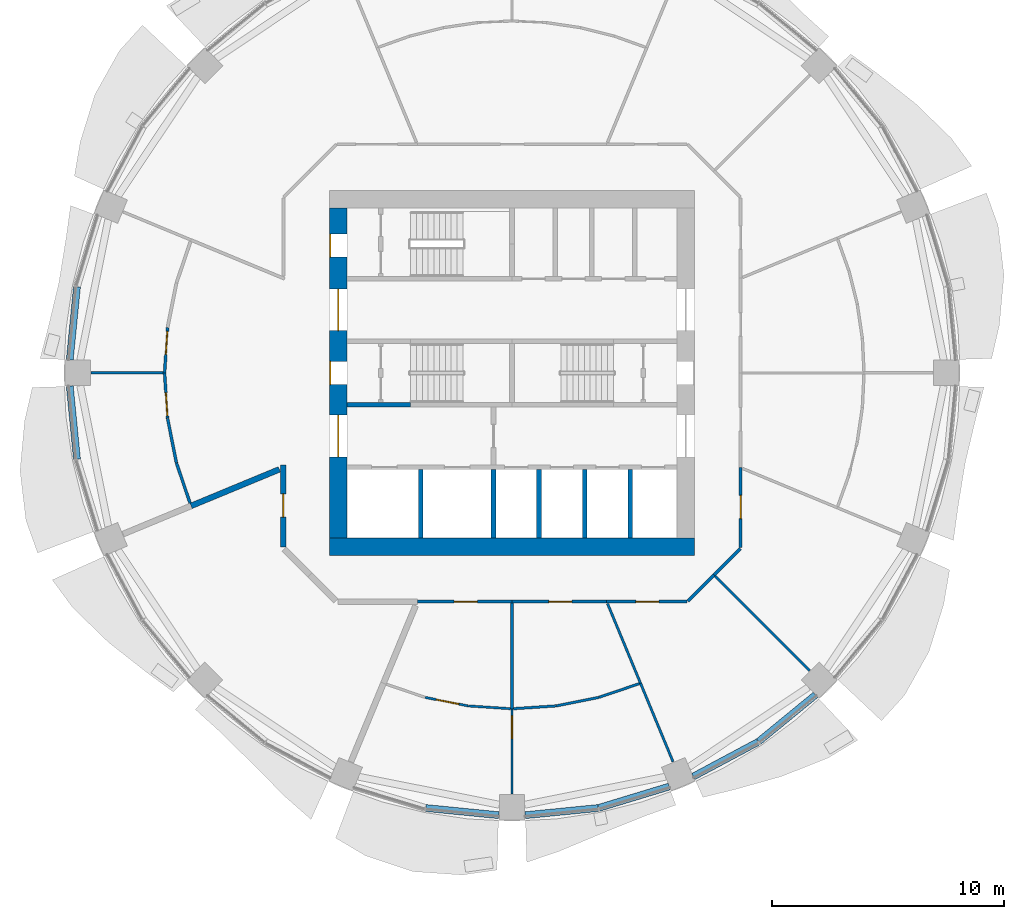
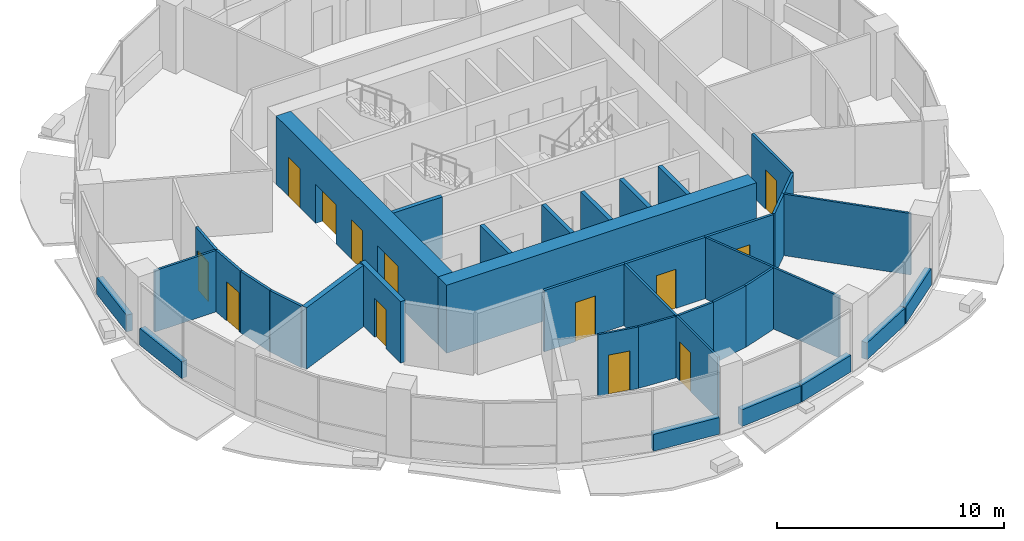
# One storey, part 8 of 15: 38 walls, 13 doors, 13 openings.
"""IFC4 building model written with IfcOpenShell, lengths in metres."""

from ifc_helpers import new_model, si_unit, direction, frame, frame_2d, origin, place, context, subcontext, project, spatial, rectangle, extrude, material, layer, layer_set, type_object, element, fill, save


model = new_model("IFC4")

# Units and contexts
model_context = context("Model", 3, precision=1e-05, world=origin(), true_north=direction((0.0, 1.0)))
body_context = subcontext(model_context, "Body", "Model", "MODEL_VIEW")
ifc_project = project(units=[si_unit("LENGTHUNIT", "METRE"), si_unit("AREAUNIT", "SQUARE_METRE"), si_unit("VOLUMEUNIT", "CUBIC_METRE"), si_unit("PLANEANGLEUNIT", "RADIAN"), si_unit("MASSUNIT", "GRAM", prefix="KILO")], contexts=[model_context])

# Site, building, storey
site_placement = place(None, origin())
site = spatial("IfcSite", under=ifc_project, at=site_placement, CompositionType="ELEMENT")
building_placement = place(site_placement, origin())
building = spatial("IfcBuilding", under=site, at=building_placement, Name="Polderwave Tower", CompositionType="ELEMENT")
storey_placement = place(building_placement, frame((0.0, 0.0, 83.699951171875)))
storey = spatial("IfcBuildingStorey", under=building, at=storey_placement, Name="L21", CompositionType="ELEMENT", Elevation=83.699951171875)

# Wall
ifc_material_1 = material(Name="Concrete C70/85", Category="concrete")
ifc_layer_1 = layer(ifc_material_1, 0.75)
ifc_layer_set_1 = layer_set([ifc_layer_1], Name="CORE WALL 750 C70/85")
wall_type_1 = type_object("IfcWallType", Name="CORE WALL 750 C70/85", PredefinedType="SHEAR", material=ifc_layer_set_1)
wall_1_placement = place(storey_placement, frame((-7.8740234375, -7.4990234375, 0.0), z_axis=(0.0, 0.0, 1.0), x_axis=(1.0, 0.0, 0.0)))
element("IfcWall", 1, at=wall_1_placement, inside=storey, type_object=wall_type_1, Name="ST-CORE-L21-S", PredefinedType="SHEAR", context=body_context, shape_type="SweptSolid", body=[
    extrude(rectangle(XDim=15.748046875, YDim=0.75, at=frame_2d((7.8740234375, 0.0))), origin(), (0.0, 0.0, 1.0), 3.650146484375),
])

# Wall, openings, doors
wall_2_placement = place(storey_placement, frame((-7.4990234375, -7.1240234375, 0.0), z_axis=(0.0, 0.0, 1.0), x_axis=(0.0, 1.0, 0.0)))
wall_2 = element("IfcWall", 2, at=wall_2_placement, inside=storey, type_object=wall_type_1, Name="ST-CORE-L21-W", PredefinedType="SHEAR", context=body_context, shape_type="SweptSolid", body=[
    extrude(rectangle(XDim=14.248046875, YDim=0.75, at=frame_2d((7.1240234375, 0.0))), origin(), (0.0, 0.0, 1.0), 3.650146484375),
])
opening_1_placement = place(wall_2_placement, frame((6.6240234375, 0.0, 0.0)))
opening_1 = element("IfcOpeningElement", 3, at=opening_1_placement, cuts=wall_2, Name="Opening L21-D18", PredefinedType="OPENING", context=body_context, shape_type="SweptSolid", body=[
    extrude(rectangle(XDim=1.0, YDim=2.10009765625, at=frame_2d((0.5, 1.050048828125))), frame((0.0, 0.385009765625, 0.0), z_axis=(0.0, -1.0, 0.0), x_axis=(1.0, 0.0, 0.0)), (0.0, 0.0, 1.0), 0.77001953125),
])
opening_2_placement = place(wall_2_placement, frame((3.49951171875, 0.0, 0.0)))
opening_2 = element("IfcOpeningElement", 4, at=opening_2_placement, cuts=wall_2, Name="Opening L21-D19", PredefinedType="OPENING", context=body_context, shape_type="SweptSolid", body=[
    extrude(rectangle(XDim=1.800048828125, YDim=2.10009765625, at=frame_2d((0.89990234375, 1.050048828125))), frame((0.0, 0.385009765625, 0.0), z_axis=(0.0, -1.0, 0.0), x_axis=(1.0, 0.0, 0.0)), (0.0, 0.0, 1.0), 0.77001953125),
])
opening_3_placement = place(wall_2_placement, frame((8.948486328125, 0.0, 0.0)))
opening_3 = element("IfcOpeningElement", 5, at=opening_3_placement, cuts=wall_2, Name="Opening L21-D20", PredefinedType="OPENING", context=body_context, shape_type="SweptSolid", body=[
    extrude(rectangle(XDim=1.800048828125, YDim=2.10009765625, at=frame_2d((0.89990234375, 1.050048828125))), frame((0.0, 0.385009765625, 0.0), z_axis=(0.0, -1.0, 0.0), x_axis=(1.0, 0.0, 0.0)), (0.0, 0.0, 1.0), 0.77001953125),
])
opening_4_placement = place(wall_2_placement, frame((12.1240234375, 0.0, 0.0)))
opening_4 = element("IfcOpeningElement", 6, at=opening_4_placement, cuts=wall_2, Name="Opening L21-D21", PredefinedType="OPENING", context=body_context, shape_type="SweptSolid", body=[
    extrude(rectangle(XDim=1.0, YDim=2.10009765625, at=frame_2d((0.5, 1.050048828125))), frame((0.0, 0.385009765625, 0.0), z_axis=(0.0, -1.0, 0.0), x_axis=(1.0, 0.0, 0.0)), (0.0, 0.0, 1.0), 0.77001953125),
])
ifc_material_2 = material(Name="Steel fire door", Category="steel")
door_type_1 = type_object("IfcDoorType", Name="Lobby entry door pair 1800", OperationType="DOUBLE_DOOR_SINGLE_SWING", PredefinedType="DOOR", material=ifc_material_2)
door_1_placement = place(opening_2_placement, origin())
door_1 = element("IfcDoor", 7, at=door_1_placement, inside=storey, type_object=door_type_1, Name="Fire-fighting lobby entry door", OperationType="DOUBLE_DOOR_SINGLE_SWING", OverallHeight=2.10009765625, OverallWidth=1.800048828125, PredefinedType="DOOR", context=body_context, shape_type="SweptSolid", body=[
    extrude(rectangle(XDim=1.800048828125, YDim=2.10009765625, at=frame_2d((0.89990234375, 1.050048828125))), frame((0.0, 0.02490234375, 0.0), z_axis=(0.0, -1.0, 0.0), x_axis=(1.0, 0.0, 0.0)), (0.0, 0.0, 1.0), 0.050048828125),
])
fill(opening_2, door_1)
door_2_placement = place(opening_3_placement, origin())
door_2 = element("IfcDoor", 8, at=door_2_placement, inside=storey, type_object=door_type_1, Name="North lobby entry door", OperationType="DOUBLE_DOOR_SINGLE_SWING", OverallHeight=2.10009765625, OverallWidth=1.800048828125, PredefinedType="DOOR", context=body_context, shape_type="SweptSolid", body=[
    extrude(rectangle(XDim=1.800048828125, YDim=2.10009765625, at=frame_2d((0.89990234375, 1.050048828125))), frame((0.0, 0.02490234375, 0.0), z_axis=(0.0, -1.0, 0.0), x_axis=(1.0, 0.0, 0.0)), (0.0, 0.0, 1.0), 0.050048828125),
])
fill(opening_3, door_2)
door_type_2 = type_object("IfcDoorType", Name="Stair door 1000", OperationType="NOTDEFINED", PredefinedType="DOOR", material=ifc_material_2)
door_3_placement = place(opening_1_placement, origin())
door_3 = element("IfcDoor", 9, at=door_3_placement, inside=storey, type_object=door_type_2, Name="Stair A entry door", OperationType="SINGLE_SWING_RIGHT", OverallHeight=2.10009765625, OverallWidth=1.0, PredefinedType="DOOR", context=body_context, shape_type="SweptSolid", body=[
    extrude(rectangle(XDim=1.0, YDim=2.10009765625, at=frame_2d((0.5, 1.050048828125))), frame((0.0, 0.375, 0.0), z_axis=(0.0, -1.0, 0.0), x_axis=(1.0, 0.0, 0.0)), (0.0, 0.0, 1.0), 0.050048828125),
])
fill(opening_1, door_3)
door_4_placement = place(opening_4_placement, origin())
door_4 = element("IfcDoor", 10, at=door_4_placement, inside=storey, type_object=door_type_2, Name="Stair C entry door", OperationType="SINGLE_SWING_RIGHT", OverallHeight=2.10009765625, OverallWidth=1.0, PredefinedType="DOOR", context=body_context, shape_type="SweptSolid", body=[
    extrude(rectangle(XDim=1.0, YDim=2.10009765625, at=frame_2d((0.5, 1.050048828125))), frame((0.0, 0.375, 0.0), z_axis=(0.0, -1.0, 0.0), x_axis=(1.0, 0.0, 0.0)), (0.0, 0.0, 1.0), 0.050048828125),
])
fill(opening_4, door_4)

# Walls
ifc_material_3 = material(Name="Concrete C50/60 (board-marked)", Category="concrete")
ifc_layer_2 = layer(ifc_material_3, 0.300048828125)
ifc_layer_set_2 = layer_set([ifc_layer_2], Name="Concrete spandrel upstand C50/60")
wall_type_2 = type_object("IfcWallType", Name="Concrete spandrel upstand C50/60", PredefinedType="SOLIDWALL", material=ifc_layer_set_2)
for number, where, z_axis, x_axis, name in (
    (11, (-18.783447265625, 3.72119140625, 0.0), (0.0, 0.0, 1.0), (-0.098040704044, -0.995182405567, 0.0), "Spandrel L21 8b"),
    (12, (-19.094482421875, -0.56396484375, 0.0), (0.0, 0.0, 1.0), (0.098040704044, -0.995182405567, 0.0), "Spandrel L21 9a"),
    (13, (-3.72119140625, -18.783447265625, 0.0), (0.0, 0.0, 1.0), (0.995182405567, -0.098040704044, 0.0), "Spandrel L21 12b"),
    (14, (0.56396484375, -19.094482421875, 0.0), (0.0, 0.0, 1.0), (0.995182405567, 0.098040704044, 0.0), "Spandrel L21 13a"),
):
    element("IfcWall", number, at=place(storey_placement, frame(where, z_axis=z_axis, x_axis=x_axis)), inside=storey, type_object=wall_type_2, Name=name, PredefinedType="SOLIDWALL", context=body_context, shape_type="SweptSolid", body=[
        extrude(rectangle(XDim=3.172607421875, YDim=0.300048828125, at=frame_2d((1.58642578125, 0.0))), origin(), (0.0, 0.0, 1.0), 0.900146484375),
    ])
wall_3_placement = place(storey_placement, frame((3.75048828125, -18.777587890625, 0.0), z_axis=(0.0, 0.0, 1.0), x_axis=(0.956927923582, 0.290325591482, 0.0)))
element("IfcWall", 15, at=wall_3_placement, inside=storey, type_object=wall_type_2, Name="Spandrel L21 13b", PredefinedType="SOLIDWALL", context=body_context, shape_type="SweptSolid", body=[
    extrude(rectangle(XDim=3.1728515625, YDim=0.300048828125, at=frame_2d((1.58642578125, 0.0))), origin(), (0.0, 0.0, 1.0), 0.900146484375),
])
wall_4_placement = place(storey_placement, frame((7.828125, -17.4248046875, 0.0), z_axis=(0.0, 0.0, 1.0), x_axis=(0.88188808669, 0.471458802606, 0.0)))
element("IfcWall", 16, at=wall_4_placement, inside=storey, type_object=wall_type_2, Name="Spandrel L21 14a", PredefinedType="SOLIDWALL", context=body_context, shape_type="SweptSolid", body=[
    extrude(rectangle(XDim=3.17236328125, YDim=0.300048828125, at=frame_2d((1.586181640625, 0.0))), origin(), (0.0, 0.0, 1.0), 0.900146484375),
])
wall_5_placement = place(storey_placement, frame((10.650634765625, -15.91259765625, 0.0), z_axis=(0.0, 0.0, 1.0), x_axis=(0.773137226182, 0.634238779555, 0.0)))
element("IfcWall", 17, at=wall_5_placement, inside=storey, type_object=wall_type_2, Name="Spandrel L21 14b", PredefinedType="SOLIDWALL", context=body_context, shape_type="SweptSolid", body=[
    extrude(rectangle(XDim=3.172607421875, YDim=0.300048828125, at=frame_2d((1.58642578125, 0.0))), origin(), (0.0, 0.0, 1.0), 0.900146484375),
])
ifc_material_4 = material(Name="Concrete C50/60", Category="concrete")
ifc_layer_3 = layer(ifc_material_4, 0.199951171875)
ifc_layer_set_3 = layer_set([ifc_layer_3], Name="Core web wall 200")
wall_type_3 = type_object("IfcWallType", Name="Core web wall 200", PredefinedType="SHEAR", material=ifc_layer_set_3)
wall_6_placement = place(storey_placement, frame((-7.1240234375, -1.375, 0.0), z_axis=(0.0, 0.0, 1.0), x_axis=(1.0, 0.0, 0.0)))
element("IfcWall", 18, at=wall_6_placement, inside=storey, type_object=wall_type_3, Name="L21 south stair wall 1", PredefinedType="SHEAR", context=body_context, shape_type="SweptSolid", body=[
    extrude(rectangle(XDim=2.75, YDim=0.199951171875, at=frame_2d((1.375, 0.0))), origin(), (0.0, 0.0, 1.0), 3.300048828125),
])
ifc_material_5 = material(Name="Fire-resisting board on steel studs", Category="steel")
ifc_layer_4 = layer(ifc_material_5, 0.125)
ifc_layer_set_4 = layer_set([ifc_layer_4], Name="Corridor wall 125 mm EI 60")
wall_type_4 = type_object("IfcWallType", Name="Corridor wall 125 mm EI 60", PredefinedType="PARTITIONING", material=ifc_layer_set_4)
wall_7_placement = place(storey_placement, frame((9.855712890625, -7.58935546875, 0.0), z_axis=(0.0, 0.0, 1.0), x_axis=(-0.70718294931, -0.707030604857, 0.0)))
element("IfcWall", 19, at=wall_7_placement, inside=storey, type_object=wall_type_4, Name="IN-L21-W004", PredefinedType="PARTITIONING", context=body_context, shape_type="SweptSolid", body=[
    extrude(rectangle(XDim=1.6025390625, YDim=0.125, at=frame_2d((0.80126953125, 0.0))), origin(), (0.0, 0.0, 1.0), 3.300048828125),
])

# Wall, opening, door
wall_8_placement = place(storey_placement, frame((9.8740234375, -4.08984375, 0.0), z_axis=(0.0, 0.0, 1.0), x_axis=(0.0, -1.0, 0.0)))
wall_8 = element("IfcWall", 20, at=wall_8_placement, inside=storey, type_object=wall_type_4, Name="IN-L21-W005", PredefinedType="PARTITIONING", context=body_context, shape_type="SweptSolid", body=[
    extrude(rectangle(XDim=3.455322265625, YDim=0.125, at=frame_2d((1.7275390625, 0.0))), origin(), (0.0, 0.0, 1.0), 3.300048828125),
])
opening_5_placement = place(wall_8_placement, frame((1.199951171875, 0.0, 0.0)))
opening_5 = element("IfcOpeningElement", 21, at=opening_5_placement, cuts=wall_8, Name="Opening L21-D52", PredefinedType="OPENING", context=body_context, shape_type="SweptSolid", body=[
    extrude(rectangle(XDim=1.0, YDim=2.10009765625, at=frame_2d((0.5, 1.050048828125))), frame((0.0, 0.072509765625, 0.0), z_axis=(0.0, -1.0, 0.0), x_axis=(1.0, 0.0, 0.0)), (0.0, 0.0, 1.0), 0.14501953125),
])
ifc_material_6 = material(Name="Timber fire door leaf", Category="wood")
door_type_3 = type_object("IfcDoorType", Name="Fire door FD30S 1000 x 2100", OperationType="NOTDEFINED", PredefinedType="DOOR", material=ifc_material_6)
door_5_placement = place(opening_5_placement, origin())
door_5 = element("IfcDoor", 22, at=door_5_placement, inside=storey, type_object=door_type_3, Name="Door L21-D52", OperationType="SINGLE_SWING_LEFT", OverallHeight=2.10009765625, OverallWidth=1.0, PredefinedType="DOOR", context=body_context, shape_type="SweptSolid", body=[
    extrude(rectangle(XDim=1.0, YDim=2.10009765625, at=frame_2d((0.5, 1.050048828125))), frame((0.0, 0.02490234375, 0.0), z_axis=(0.0, -1.0, 0.0), x_axis=(1.0, 0.0, 0.0)), (0.0, 0.0, 1.0), 0.050048828125),
])
fill(opening_5, door_5)

wall_9_placement = place(storey_placement, frame((0.0, -9.8740234375, 0.0), z_axis=(0.0, 0.0, 1.0), x_axis=(-1.0, 0.0, 0.0)))
wall_9 = element("IfcWall", 23, at=wall_9_placement, inside=storey, type_object=wall_type_4, Name="IN-L21-W018", PredefinedType="PARTITIONING", context=body_context, shape_type="SweptSolid", body=[
    extrude(rectangle(XDim=4.08984375, YDim=0.125, at=frame_2d((2.044921875, 0.0))), origin(), (0.0, 0.0, 1.0), 3.300048828125),
])
opening_6_placement = place(wall_9_placement, frame((1.5, 0.0, 0.0)))
opening_6 = element("IfcOpeningElement", 24, at=opening_6_placement, cuts=wall_9, Name="Opening L21-D58", PredefinedType="OPENING", context=body_context, shape_type="SweptSolid", body=[
    extrude(rectangle(XDim=1.0, YDim=2.10009765625, at=frame_2d((0.5, 1.050048828125))), frame((0.0, 0.072509765625, 0.0), z_axis=(0.0, -1.0, 0.0), x_axis=(1.0, 0.0, 0.0)), (0.0, 0.0, 1.0), 0.14501953125),
])
door_6_placement = place(opening_6_placement, origin())
door_6 = element("IfcDoor", 25, at=door_6_placement, inside=storey, type_object=door_type_3, Name="Door L21-D58", OperationType="SINGLE_SWING_LEFT", OverallHeight=2.10009765625, OverallWidth=1.0, PredefinedType="DOOR", context=body_context, shape_type="SweptSolid", body=[
    extrude(rectangle(XDim=1.0, YDim=2.10009765625, at=frame_2d((0.5, 1.050048828125))), frame((0.0, 0.02490234375, 0.0), z_axis=(0.0, -1.0, 0.0), x_axis=(1.0, 0.0, 0.0)), (0.0, 0.0, 1.0), 0.050048828125),
])
fill(opening_6, door_6)

wall_10_placement = place(storey_placement, frame((4.08984375, -9.8740234375, 0.0), z_axis=(0.0, 0.0, 1.0), x_axis=(-1.0, 0.0, 0.0)))
wall_10 = element("IfcWall", 26, at=wall_10_placement, inside=storey, type_object=wall_type_4, Name="IN-L21-W019", PredefinedType="PARTITIONING", context=body_context, shape_type="SweptSolid", body=[
    extrude(rectangle(XDim=4.08984375, YDim=0.125, at=frame_2d((2.044921875, 0.0))), origin(), (0.0, 0.0, 1.0), 3.300048828125),
])
opening_7_placement = place(wall_10_placement, frame((1.5, 0.0, 0.0)))
opening_7 = element("IfcOpeningElement", 27, at=opening_7_placement, cuts=wall_10, Name="Opening L21-D59", PredefinedType="OPENING", context=body_context, shape_type="SweptSolid", body=[
    extrude(rectangle(XDim=1.0, YDim=2.10009765625, at=frame_2d((0.5, 1.050048828125))), frame((0.0, 0.072509765625, 0.0), z_axis=(0.0, -1.0, 0.0), x_axis=(1.0, 0.0, 0.0)), (0.0, 0.0, 1.0), 0.14501953125),
])
door_7_placement = place(opening_7_placement, origin())
door_7 = element("IfcDoor", 28, at=door_7_placement, inside=storey, type_object=door_type_3, Name="Door L21-D59", OperationType="SINGLE_SWING_LEFT", OverallHeight=2.10009765625, OverallWidth=1.0, PredefinedType="DOOR", context=body_context, shape_type="SweptSolid", body=[
    extrude(rectangle(XDim=1.0, YDim=2.10009765625, at=frame_2d((0.5, 1.050048828125))), frame((0.0, 0.02490234375, 0.0), z_axis=(0.0, -1.0, 0.0), x_axis=(1.0, 0.0, 0.0)), (0.0, 0.0, 1.0), 0.050048828125),
])
fill(opening_7, door_7)

wall_11_placement = place(storey_placement, frame((7.545166015625, -9.8740234375, 0.0), z_axis=(0.0, 0.0, 1.0), x_axis=(-1.0, 0.0, 0.0)))
wall_11 = element("IfcWall", 29, at=wall_11_placement, inside=storey, type_object=wall_type_4, Name="IN-L21-W020", PredefinedType="PARTITIONING", context=body_context, shape_type="SweptSolid", body=[
    extrude(rectangle(XDim=3.455322265625, YDim=0.125, at=frame_2d((1.7275390625, 0.0))), origin(), (0.0, 0.0, 1.0), 3.300048828125),
])
opening_8_placement = place(wall_11_placement, frame((1.199951171875, 0.0, 0.0)))
opening_8 = element("IfcOpeningElement", 30, at=opening_8_placement, cuts=wall_11, Name="Opening L21-D60", PredefinedType="OPENING", context=body_context, shape_type="SweptSolid", body=[
    extrude(rectangle(XDim=1.0, YDim=2.10009765625, at=frame_2d((0.5, 1.050048828125))), frame((0.0, 0.072509765625, 0.0), z_axis=(0.0, -1.0, 0.0), x_axis=(1.0, 0.0, 0.0)), (0.0, 0.0, 1.0), 0.14501953125),
])
door_8_placement = place(opening_8_placement, origin())
door_8 = element("IfcDoor", 31, at=door_8_placement, inside=storey, type_object=door_type_3, Name="Door L21-D60", OperationType="SINGLE_SWING_LEFT", OverallHeight=2.10009765625, OverallWidth=1.0, PredefinedType="DOOR", context=body_context, shape_type="SweptSolid", body=[
    extrude(rectangle(XDim=1.0, YDim=2.10009765625, at=frame_2d((0.5, 1.050048828125))), frame((0.0, 0.02490234375, 0.0), z_axis=(0.0, -1.0, 0.0), x_axis=(1.0, 0.0, 0.0)), (0.0, 0.0, 1.0), 0.050048828125),
])
fill(opening_8, door_8)

# Wall
wall_12_placement = place(storey_placement, frame((8.722412109375, -8.722412109375, 0.0), z_axis=(0.0, 0.0, 1.0), x_axis=(-0.707030604857, -0.70718294931, 0.0)))
element("IfcWall", 32, at=wall_12_placement, inside=storey, type_object=wall_type_4, Name="IN-L21-W021", PredefinedType="PARTITIONING", context=body_context, shape_type="SweptSolid", body=[
    extrude(rectangle(XDim=1.6025390625, YDim=0.125, at=frame_2d((0.80126953125, 0.0))), origin(), (0.0, 0.0, 1.0), 3.300048828125),
])

# Wall, opening, door
wall_13_placement = place(storey_placement, frame((-15.0, 0.0, 0.0), z_axis=(0.0, 0.0, 1.0), x_axis=(0.065335548621, 0.997863350407, 0.0)))
wall_13 = element("IfcWall", 33, at=wall_13_placement, inside=storey, type_object=wall_type_4, Name="IN-L21-W046", PredefinedType="PARTITIONING", context=body_context, shape_type="SweptSolid", body=[
    extrude(rectangle(XDim=1.9580078125, YDim=0.125, at=frame_2d((0.97900390625, 0.0))), origin(), (0.0, 0.0, 1.0), 3.300048828125),
])
opening_9_placement = place(wall_13_placement, frame((0.800048828125, 0.0, 0.0)))
opening_9 = element("IfcOpeningElement", 34, at=opening_9_placement, cuts=wall_13, Name="Opening L21-D64", PredefinedType="OPENING", context=body_context, shape_type="SweptSolid", body=[
    extrude(rectangle(XDim=1.0, YDim=2.10009765625, at=frame_2d((0.5, 1.050048828125))), frame((0.0, 0.072509765625, 0.0), z_axis=(0.0, -1.0, 0.0), x_axis=(1.0, 0.0, 0.0)), (0.0, 0.0, 1.0), 0.14501953125),
])
door_9_placement = place(opening_9_placement, origin())
door_9 = element("IfcDoor", 35, at=door_9_placement, inside=storey, type_object=door_type_3, Name="Door L21-D64", OperationType="SINGLE_SWING_RIGHT", OverallHeight=2.10009765625, OverallWidth=1.0, PredefinedType="DOOR", context=body_context, shape_type="SweptSolid", body=[
    extrude(rectangle(XDim=1.0, YDim=2.10009765625, at=frame_2d((0.5, 1.050048828125))), frame((0.0, 0.02490234375, 0.0), z_axis=(0.0, -1.0, 0.0), x_axis=(1.0, 0.0, 0.0)), (0.0, 0.0, 1.0), 0.050048828125),
])
fill(opening_9, door_9)

wall_14_placement = place(storey_placement, frame((-14.8720703125, -1.953857421875, 0.0), z_axis=(0.0, 0.0, 1.0), x_axis=(-0.065335548621, 0.997863350407, 0.0)))
wall_14 = element("IfcWall", 36, at=wall_14_placement, inside=storey, type_object=wall_type_4, Name="IN-L21-W049", PredefinedType="PARTITIONING", context=body_context, shape_type="SweptSolid", body=[
    extrude(rectangle(XDim=1.9580078125, YDim=0.125, at=frame_2d((0.97900390625, 0.0))), origin(), (0.0, 0.0, 1.0), 3.300048828125),
])
opening_10_placement = place(wall_14_placement, frame((0.10009765625, 0.0, 0.0)))
opening_10 = element("IfcOpeningElement", 37, at=opening_10_placement, cuts=wall_14, Name="Opening L21-D65", PredefinedType="OPENING", context=body_context, shape_type="SweptSolid", body=[
    extrude(rectangle(XDim=1.0, YDim=2.10009765625, at=frame_2d((0.5, 1.050048828125))), frame((0.0, 0.072509765625, 0.0), z_axis=(0.0, -1.0, 0.0), x_axis=(1.0, 0.0, 0.0)), (0.0, 0.0, 1.0), 0.14501953125),
])
door_10_placement = place(opening_10_placement, origin())
door_10 = element("IfcDoor", 38, at=door_10_placement, inside=storey, type_object=door_type_3, Name="Door L21-D65", OperationType="SINGLE_SWING_LEFT", OverallHeight=2.10009765625, OverallWidth=1.0, PredefinedType="DOOR", context=body_context, shape_type="SweptSolid", body=[
    extrude(rectangle(XDim=1.0, YDim=2.10009765625, at=frame_2d((0.5, 1.050048828125))), frame((0.0, 0.02490234375, 0.0), z_axis=(0.0, -1.0, 0.0), x_axis=(1.0, 0.0, 0.0)), (0.0, 0.0, 1.0), 0.050048828125),
])
fill(opening_10, door_10)

# Walls
wall_15_placement = place(storey_placement, frame((-14.48974609375, -3.87841796875, 0.0), z_axis=(0.0, 0.0, 1.0), x_axis=(-0.195034785279, 0.980796325713, 0.0)))
element("IfcWall", 39, at=wall_15_placement, inside=storey, type_object=wall_type_4, Name="IN-L21-W050", PredefinedType="PARTITIONING", context=body_context, shape_type="SweptSolid", body=[
    extrude(rectangle(XDim=1.9541015625, YDim=0.125, at=frame_2d((0.97705078125, 0.0))), origin(), (0.0, 0.0, 1.0), 3.300048828125),
])
wall_16_placement = place(storey_placement, frame((-13.89990234375, -5.61767578125, 0.0), z_axis=(0.0, 0.0, 1.0), x_axis=(-0.321390424162, 0.946946775303, 0.0)))
element("IfcWall", 40, at=wall_16_placement, inside=storey, type_object=wall_type_4, Name="IN-L21-W051", PredefinedType="PARTITIONING", context=body_context, shape_type="SweptSolid", body=[
    extrude(rectangle(XDim=1.828369140625, YDim=0.125, at=frame_2d((0.9140625, 0.0))), origin(), (0.0, 0.0, 1.0), 3.300048828125),
])

# Wall, opening, door
ifc_material_7 = material(Name="Plasterboard on steel studs", Category="steel")
ifc_layer_5 = layer(ifc_material_7, 0.10009765625)
ifc_layer_set_5 = layer_set([ifc_layer_5], Name="Partition 100 mm plasterboard on steel studs")
wall_type_5 = type_object("IfcWallType", Name="Partition 100 mm plasterboard on steel studs", PredefinedType="PARTITIONING", material=ifc_layer_set_5)
wall_17_placement = place(storey_placement, frame((-1.895751953125, -14.37548828125, 0.0), z_axis=(0.0, 0.0, 1.0), x_axis=(-0.980773924018, 0.19514740574, 0.0)))
wall_17 = element("IfcWall", 41, at=wall_17_placement, inside=storey, type_object=wall_type_5, Name="IN-L21-W058", PredefinedType="PARTITIONING", context=body_context, shape_type="SweptSolid", body=[
    extrude(rectangle(XDim=1.890380859375, YDim=0.10009765625, at=frame_2d((0.9453125, 0.0))), origin(), (0.0, 0.0, 1.0), 3.300048828125),
])
opening_11_placement = place(wall_17_placement, frame((0.39990234375, 0.0, 0.0)))
opening_11 = element("IfcOpeningElement", 42, at=opening_11_placement, cuts=wall_17, Name="Opening L21-D66", PredefinedType="OPENING", context=body_context, shape_type="SweptSolid", body=[
    extrude(rectangle(XDim=1.0, YDim=2.10009765625, at=frame_2d((0.5, 1.050048828125))), frame((0.0, 0.06005859375, 0.0), z_axis=(0.0, -1.0, 0.0), x_axis=(1.0, 0.0, 0.0)), (0.0, 0.0, 1.0), 0.1201171875),
])
ifc_material_8 = material(Name="Timber veneer door leaf", Category="wood")
door_type_4 = type_object("IfcDoorType", Name="Single door 1000 x 2100", OperationType="NOTDEFINED", PredefinedType="DOOR", material=ifc_material_8)
door_11_placement = place(opening_11_placement, origin())
door_11 = element("IfcDoor", 43, at=door_11_placement, inside=storey, type_object=door_type_4, Name="Door L21-D66", OperationType="SINGLE_SWING_LEFT", OverallHeight=2.10009765625, OverallWidth=1.0, PredefinedType="DOOR", context=body_context, shape_type="SweptSolid", body=[
    extrude(rectangle(XDim=1.0, YDim=2.10009765625, at=frame_2d((0.5, 1.050048828125))), frame((0.0, 0.02490234375, 0.0), z_axis=(0.0, -1.0, 0.0), x_axis=(1.0, 0.0, 0.0)), (0.0, 0.0, 1.0), 0.050048828125),
])
fill(opening_11, door_11)

# Wall
wall_18_placement = place(storey_placement, frame((-0.058349609375, -14.49609375, 0.0), z_axis=(0.0, 0.0, 1.0), x_axis=(-0.99786392157, 0.065326824732, 0.0)))
element("IfcWall", 44, at=wall_18_placement, inside=storey, type_object=wall_type_5, Name="IN-L21-W059", PredefinedType="PARTITIONING", context=body_context, shape_type="SweptSolid", body=[
    extrude(rectangle(XDim=1.8349609375, YDim=0.10009765625, at=frame_2d((0.91748046875, 0.0))), origin(), (0.0, 0.0, 1.0), 3.300048828125),
])

# Wall, opening, door
wall_19_placement = place(storey_placement, frame((0.0, -14.5, 0.0), z_axis=(0.0, 0.0, 1.0), x_axis=(0.0, -1.0, 0.0)))
wall_19 = element("IfcWall", 45, at=wall_19_placement, inside=storey, type_object=wall_type_5, Name="IN-L21-W061", PredefinedType="PARTITIONING", context=body_context, shape_type="SweptSolid", body=[
    extrude(rectangle(XDim=3.669921875, YDim=0.10009765625, at=frame_2d((1.8349609375, 0.0))), origin(), (0.0, 0.0, 1.0), 3.300048828125),
])
opening_12_placement = place(wall_19_placement, frame((0.300048828125, 0.0, 0.0)))
opening_12 = element("IfcOpeningElement", 46, at=opening_12_placement, cuts=wall_19, Name="Opening L21-D67", PredefinedType="OPENING", context=body_context, shape_type="SweptSolid", body=[
    extrude(rectangle(XDim=1.0, YDim=2.10009765625, at=frame_2d((0.5, 1.050048828125))), frame((0.0, 0.06005859375, 0.0), z_axis=(0.0, -1.0, 0.0), x_axis=(1.0, 0.0, 0.0)), (0.0, 0.0, 1.0), 0.1201171875),
])
door_12_placement = place(opening_12_placement, origin())
door_12 = element("IfcDoor", 47, at=door_12_placement, inside=storey, type_object=door_type_4, Name="Door L21-D67", OperationType="SINGLE_SWING_LEFT", OverallHeight=2.10009765625, OverallWidth=1.0, PredefinedType="DOOR", context=body_context, shape_type="SweptSolid", body=[
    extrude(rectangle(XDim=1.0, YDim=2.10009765625, at=frame_2d((0.5, 1.050048828125))), frame((0.0, 0.02490234375, 0.0), z_axis=(0.0, -1.0, 0.0), x_axis=(1.0, 0.0, 0.0)), (0.0, 0.0, 1.0), 0.050048828125),
])
fill(opening_12, door_12)

# Walls
ifc_material_9 = material(Name="Moisture-resistant board on steel studs, tiled", Category="steel")
ifc_layer_6 = layer(ifc_material_9, 0.10498046875)
ifc_layer_set_6 = layer_set([ifc_layer_6], Name="Partition 105 mm wet room board and tile")
wall_type_6 = type_object("IfcWallType", Name="Partition 105 mm wet room board and tile", PredefinedType="PARTITIONING", material=ifc_layer_set_6)
wall_20_placement = place(storey_placement, frame((4.1240234375, -9.95654296875, 0.0), z_axis=(0.0, 0.0, 1.0), x_axis=(0.382691554869, -0.923876168018, 0.0)))
element("IfcWall", 48, at=wall_20_placement, inside=storey, type_object=wall_type_6, Name="IN-L21-W065", PredefinedType="PARTITIONING", context=body_context, shape_type="SweptSolid", body=[
    extrude(rectangle(XDim=3.72314453125, YDim=0.10498046875, at=frame_2d((1.861572265625, 0.0))), origin(), (0.0, 0.0, 1.0), 3.300048828125),
])
wall_21_placement = place(storey_placement, frame((5.548828125, -13.396240234375, 0.0), z_axis=(0.0, 0.0, 1.0), x_axis=(0.382706260748, -0.923870076355, 0.0)))
element("IfcWall", 49, at=wall_21_placement, inside=storey, type_object=wall_type_6, Name="IN-L21-W066", PredefinedType="PARTITIONING", context=body_context, shape_type="SweptSolid", body=[
    extrude(rectangle(XDim=3.669921875, YDim=0.10498046875, at=frame_2d((1.8349609375, 0.0))), origin(), (0.0, 0.0, 1.0), 3.300048828125),
])
wall_22_placement = place(storey_placement, frame((8.7666015625, -8.7666015625, 0.0), z_axis=(0.0, 0.0, 1.0), x_axis=(0.707106781187, -0.707106781187, 0.0)))
element("IfcWall", 50, at=wall_22_placement, inside=storey, type_object=wall_type_6, Name="IN-L21-W067", PredefinedType="PARTITIONING", context=body_context, shape_type="SweptSolid", body=[
    extrude(rectangle(XDim=5.772216796875, YDim=0.10498046875, at=frame_2d((2.88623046875, 0.0))), origin(), (0.0, 0.0, 1.0), 3.300048828125),
])
ifc_material_10 = material(Name="Acoustic double plasterboard on steel studs", Category="steel")
ifc_layer_7 = layer(ifc_material_10, 0.110107421875)
ifc_layer_set_7 = layer_set([ifc_layer_7], Name="Partition 110 mm acoustic double board")
wall_type_7 = type_object("IfcWallType", Name="Partition 110 mm acoustic double board", PredefinedType="PARTITIONING", material=ifc_layer_set_7)
wall_23_placement = place(storey_placement, frame((-15.066162109375, 0.0, 0.0), z_axis=(0.0, 0.0, 1.0), x_axis=(-1.0, 0.0, 0.0)))
element("IfcWall", 51, at=wall_23_placement, inside=storey, type_object=wall_type_7, Name="IN-L21-W053", PredefinedType="PARTITIONING", context=body_context, shape_type="SweptSolid", body=[
    extrude(rectangle(XDim=3.103759765625, YDim=0.110107421875, at=frame_2d((1.5517578125, 0.0))), origin(), (0.0, 0.0, 1.0), 3.300048828125),
])
wall_24_placement = place(storey_placement, frame((0.0, -9.9365234375, 0.0), z_axis=(0.0, 0.0, 1.0), x_axis=(0.0, -1.0, 0.0)))
element("IfcWall", 52, at=wall_24_placement, inside=storey, type_object=wall_type_7, Name="IN-L21-W060", PredefinedType="PARTITIONING", context=body_context, shape_type="SweptSolid", body=[
    extrude(rectangle(XDim=4.5634765625, YDim=0.110107421875, at=frame_2d((2.28173828125, 0.0))), origin(), (0.0, 0.0, 1.0), 3.300048828125),
])
wall_25_placement = place(storey_placement, frame((1.888916015625, -14.376220703125, 0.0), z_axis=(0.0, 0.0, 1.0), x_axis=(-0.99786221716, -0.065352854292, 0.0)))
element("IfcWall", 53, at=wall_25_placement, inside=storey, type_object=wall_type_7, Name="IN-L21-W062", PredefinedType="PARTITIONING", context=body_context, shape_type="SweptSolid", body=[
    extrude(rectangle(XDim=1.834228515625, YDim=0.110107421875, at=frame_2d((0.9169921875, 0.0))), origin(), (0.0, 0.0, 1.0), 3.300048828125),
])
wall_26_placement = place(storey_placement, frame((3.74951171875, -14.006591796875, 0.0), z_axis=(0.0, 0.0, 1.0), x_axis=(-0.980788807459, -0.195072589471, 0.0)))
element("IfcWall", 54, at=wall_26_placement, inside=storey, type_object=wall_type_7, Name="IN-L21-W063", PredefinedType="PARTITIONING", context=body_context, shape_type="SweptSolid", body=[
    extrude(rectangle(XDim=1.889892578125, YDim=0.110107421875, at=frame_2d((0.94482421875, 0.0))), origin(), (0.0, 0.0, 1.0), 3.300048828125),
])
wall_27_placement = place(storey_placement, frame((5.49560546875, -13.414306640625, 0.0), z_axis=(0.0, 0.0, 1.0), x_axis=(-0.946941139485, -0.321407029095, 0.0)))
element("IfcWall", 55, at=wall_27_placement, inside=storey, type_object=wall_type_7, Name="IN-L21-W064", PredefinedType="PARTITIONING", context=body_context, shape_type="SweptSolid", body=[
    extrude(rectangle(XDim=1.836669921875, YDim=0.110107421875, at=frame_2d((0.91845703125, 0.0))), origin(), (0.0, 0.0, 1.0), 3.300048828125),
])

# Wall, opening, door
ifc_material_11 = material(Name="Fire-resisting board on steel studs, mineral wool", Category="steel")
ifc_layer_8 = layer(ifc_material_11, 0.25)
ifc_layer_set_8 = layer_set([ifc_layer_8], Name="Plant room wall 250 mm EI 120")
wall_type_8 = type_object("IfcWallType", Name="Plant room wall 250 mm EI 120", PredefinedType="PARTITIONING", material=ifc_layer_set_8)
wall_28_placement = place(storey_placement, frame((-9.8740234375, -7.519287109375, 0.0), z_axis=(0.0, 0.0, 1.0), x_axis=(0.0, 1.0, 0.0)))
wall_28 = element("IfcWall", 56, at=wall_28_placement, inside=storey, type_object=wall_type_8, Name="IN-L21-W014", PredefinedType="PARTITIONING", context=body_context, shape_type="SweptSolid", body=[
    extrude(rectangle(XDim=3.554443359375, YDim=0.25, at=frame_2d((1.77734375, 0.0))), origin(), (0.0, 0.0, 1.0), 3.300048828125),
])
opening_13_placement = place(wall_28_placement, frame((1.300048828125, 0.0, 0.0)))
opening_13 = element("IfcOpeningElement", 57, at=opening_13_placement, cuts=wall_28, Name="Opening L21-D57", PredefinedType="OPENING", context=body_context, shape_type="SweptSolid", body=[
    extrude(rectangle(XDim=1.0, YDim=2.10009765625, at=frame_2d((0.5, 1.050048828125))), frame((0.0, 0.135009765625, 0.0), z_axis=(0.0, -1.0, 0.0), x_axis=(1.0, 0.0, 0.0)), (0.0, 0.0, 1.0), 0.27001953125),
])
ifc_material_12 = material(Name="Steel plant door leaf", Category="steel")
door_type_5 = type_object("IfcDoorType", Name="Plant door FD60 1000 x 2100 steel", OperationType="NOTDEFINED", PredefinedType="DOOR", material=ifc_material_12)
door_13_placement = place(opening_13_placement, origin())
door_13 = element("IfcDoor", 58, at=door_13_placement, inside=storey, type_object=door_type_5, Name="Door L21-D57", OperationType="SINGLE_SWING_RIGHT", OverallHeight=2.10009765625, OverallWidth=1.0, PredefinedType="DOOR", context=body_context, shape_type="SweptSolid", body=[
    extrude(rectangle(XDim=1.0, YDim=2.10009765625, at=frame_2d((0.5, 1.050048828125))), frame((0.0, 0.02490234375, 0.0), z_axis=(0.0, -1.0, 0.0), x_axis=(1.0, 0.0, 0.0)), (0.0, 0.0, 1.0), 0.050048828125),
])
fill(opening_13, door_13)

# Walls
wall_29_placement = place(storey_placement, frame((-10.046875, -4.16162109375, 0.0), z_axis=(0.0, 0.0, 1.0), x_axis=(-0.92388555685, -0.382668888001, 0.0)))
element("IfcWall", 59, at=wall_29_placement, inside=storey, type_object=wall_type_8, Name="IN-L21-W052", PredefinedType="PARTITIONING", context=body_context, shape_type="SweptSolid", body=[
    extrude(rectangle(XDim=4.125244140625, YDim=0.25, at=frame_2d((2.0625, 0.0))), origin(), (0.0, 0.0, 1.0), 3.300048828125),
])
ifc_material_13 = material(Name="Gypsum shaft wall system")
ifc_layer_9 = layer(ifc_material_13, 0.199951171875)
ifc_layer_set_9 = layer_set([ifc_layer_9], Name="Shaft wall 200")
wall_type_9 = type_object("IfcWallType", Name="Shaft wall 200", PredefinedType="PARTITIONING", material=ifc_layer_set_9)
for number, where, z_axis, x_axis, name in (
    (60, (-3.93701171875, -7.1240234375, 0.0), (0.0, 0.0, 1.0), (0.0, 1.0, 0.0), "L21 fire-fighting shaft wall 1"),
    (61, (-0.800048828125, -7.1240234375, 0.0), (0.0, 0.0, 1.0), (0.0, 1.0, 0.0), "L21 fire-fighting shaft wall 2"),
    (62, (1.16845703125, -7.1240234375, 0.0), (0.0, 0.0, 1.0), (0.0, 1.0, 0.0), "L21 lift shaft wall 1"),
    (63, (3.136962890625, -7.1240234375, 0.0), (0.0, 0.0, 1.0), (0.0, 1.0, 0.0), "L21 lift shaft wall 2"),
    (64, (5.10546875, -7.1240234375, 0.0), (0.0, 0.0, 1.0), (0.0, 1.0, 0.0), "L21 lift shaft wall 3"),
):
    element("IfcWall", number, at=place(storey_placement, frame(where, z_axis=z_axis, x_axis=x_axis)), inside=storey, type_object=wall_type_9, Name=name, PredefinedType="PARTITIONING", context=body_context, shape_type="SweptSolid", body=[
        extrude(rectangle(XDim=2.949951171875, YDim=0.199951171875, at=frame_2d((1.47509765625, 0.0))), origin(), (0.0, 0.0, 1.0), 3.300048828125),
    ])

save(model, "model.ifc")
